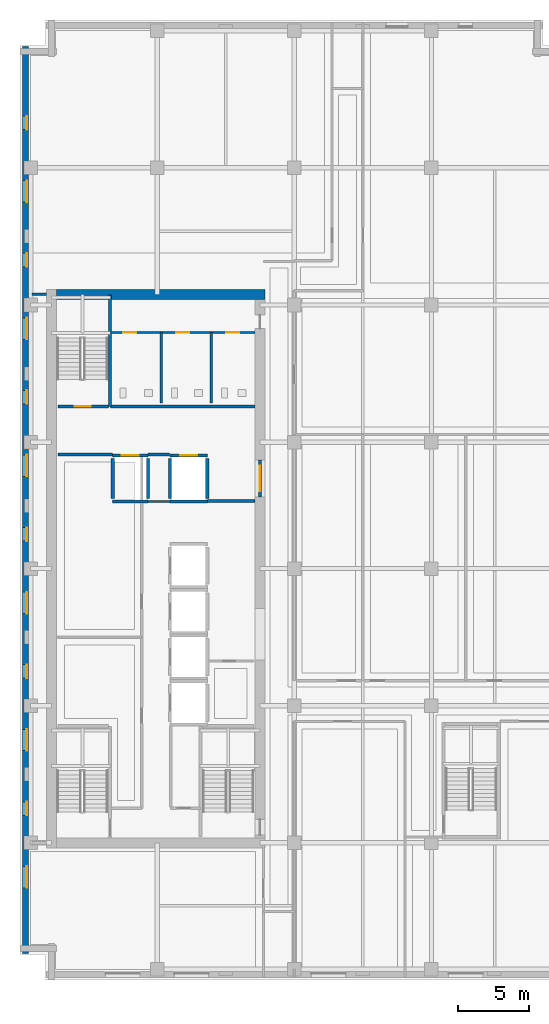
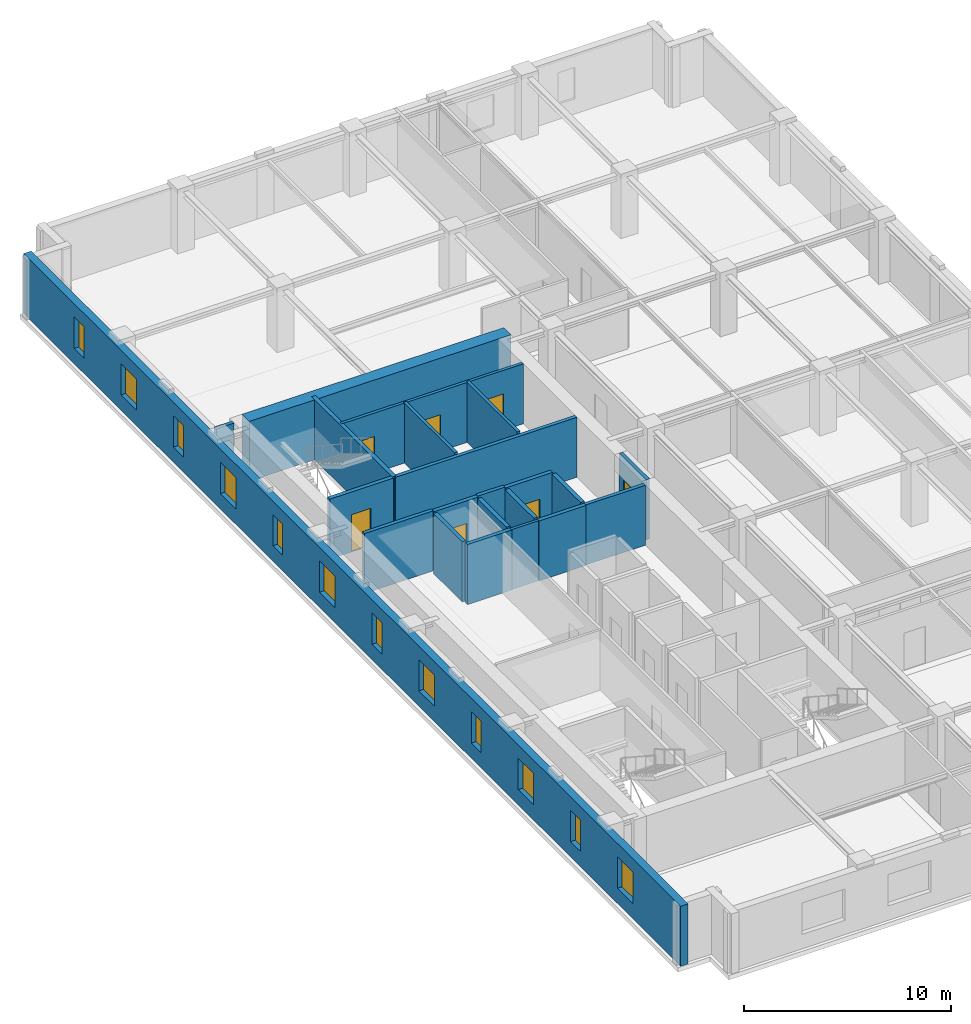
# One storey, part 6 of 13: 22 walls, 12 windows, 7 doors, 19 openings.
"""IFC4 building model written with IfcOpenShell, lengths in metres."""

import ifcopenshell
import ifcopenshell.guid

model = None  # the IFC model being written
_history = None  # IfcOwnerHistory: only IFC2X3 demands one
_inside = {}  # id of a spatial element -> (the spatial element, [elements in it])
_under = {}  # id of a project, library or spatial element -> (it, [spatial elements below it])
_declared = {}  # id of a project -> (the project, [libraries it declares])
_typed = {}  # id of a type object -> (the type object, [elements of that type])
_made_of = {}  # id of a material, layer set ... -> (it, [elements and type objects made of it])


def new_model(schema):
    """Start an empty IFC model of exactly this schema.

    Asked for "IFC4X3", IfcOpenShell would pick the latest addendum, in which some entities
    have other attributes; the version numbers below select the first issue.
    IFC2X3 requires an IfcOwnerHistory on every rooted entity: one is made here for all.
    """
    global model, _history
    if schema == "IFC4X3":
        model = ifcopenshell.file(schema_version=(4, 3, 0, 0))
    else:
        model = ifcopenshell.file(schema=schema)
    _inside.clear()
    _under.clear()
    _declared.clear()
    _typed.clear()
    _made_of.clear()
    _history = None
    if model.schema == "IFC2X3":
        org = make("IfcOrganization", Name="unknown")
        user = make(
            "IfcPersonAndOrganization",
            ThePerson=make("IfcPerson", FamilyName="unknown"),
            TheOrganization=org,
        )
        app = make(
            "IfcApplication",
            ApplicationDeveloper=org,
            Version="unknown",
            ApplicationFullName="unknown",
            ApplicationIdentifier="unknown",
        )
        _history = make(
            "IfcOwnerHistory",
            OwningUser=user,
            OwningApplication=app,
            ChangeAction="ADDED",
            CreationDate=0,
        )
    return model


def make(cls, **values):
    """One entity of the class cls with the attributes given. An attribute that is None is left unset."""
    return model.create_entity(
        cls, **{name: value for name, value in values.items() if value is not None}
    )


def rooted(cls, **values):
    """An entity with a GlobalId (a new one), such as an element, a storey or a relation."""
    return make(cls, GlobalId=ifcopenshell.guid.new(), OwnerHistory=_history, **values)


def si_unit(unit_type, name, prefix=None):
    """IfcSIUnit, for example si_unit("LENGTHUNIT", "METRE", prefix="MILLI")."""
    return make("IfcSIUnit", UnitType=unit_type, Prefix=prefix, Name=name)


def assignment(units):
    """IfcUnitAssignment: the units of a project."""
    return None if units is None else make("IfcUnitAssignment", Units=units)


def point(xyz):
    """IfcCartesianPoint."""
    return None if xyz is None else make("IfcCartesianPoint", Coordinates=xyz)


def direction(xyz):
    """IfcDirection."""
    return None if xyz is None else make("IfcDirection", DirectionRatios=xyz)


def frame(location, z_axis=None, x_axis=None):
    """IfcAxis2Placement3D, a coordinate frame: its origin and axes. An axis left out is left unset."""
    return make(
        "IfcAxis2Placement3D",
        Location=point(location),
        Axis=direction(z_axis),
        RefDirection=direction(x_axis),
    )


def frame_2d(location, x_axis=None):
    """IfcAxis2Placement2D, a coordinate frame in the plane: its origin and x axis."""
    return make(
        "IfcAxis2Placement2D", Location=point(location), RefDirection=direction(x_axis)
    )


def origin():
    """The frame at (0, 0, 0) with its axes left unset."""
    return frame((0.0, 0.0, 0.0))


def place(relative_to, where):
    """IfcLocalPlacement: puts the frame where relative to a parent placement (None: the world)."""
    return make(
        "IfcLocalPlacement", PlacementRelTo=relative_to, RelativePlacement=where
    )


def context(
    kind, dimensions, precision=None, world=None, true_north=None, identifier=None
):
    """IfcGeometricRepresentationContext, for example the 3D "Model" context."""
    return make(
        "IfcGeometricRepresentationContext",
        ContextIdentifier=identifier,
        ContextType=kind,
        CoordinateSpaceDimension=dimensions,
        Precision=precision,
        WorldCoordinateSystem=world,
        TrueNorth=true_north,
    )


def subcontext(parent, identifier, kind, view, scale=None):
    """IfcGeometricRepresentationSubContext, for example "Body" below "Model"."""
    return make(
        "IfcGeometricRepresentationSubContext",
        ContextIdentifier=identifier,
        ContextType=kind,
        ParentContext=parent,
        TargetScale=scale,
        TargetView=view,
    )


def project(units=None, contexts=None):
    """IfcProject with its units and contexts."""
    return rooted(
        "IfcProject",
        Name="project",
        RepresentationContexts=contexts,
        UnitsInContext=assignment(units),
    )


def spatial(cls, under=None, at=None, **own):
    """A site, building, storey or space (cls), placed at a placement, below another one or the project."""
    s = rooted(cls, ObjectPlacement=at, **own)
    if under is not None:
        _under.setdefault(under.id(), (under, []))[1].append(s)
    return s


def profile(cls, at=None, kind="AREA", **sizes):
    """A parametric profile (cls). Its sizes go by their IFC names, for example OverallWidth=200.0."""
    return make(cls, ProfileType=kind, Position=at, **sizes)


def rectangle(**sizes):
    """IfcRectangleProfileDef."""
    return profile("IfcRectangleProfileDef", **sizes)


def extrude(swept, where, along, depth):
    """IfcExtrudedAreaSolid: the profile swept, set in the frame where, extruded along a direction by depth."""
    return make(
        "IfcExtrudedAreaSolid",
        SweptArea=swept,
        Position=where,
        ExtrudedDirection=direction(along),
        Depth=depth,
    )


def shape(context_of_items, identifier, shape_type, items):
    """IfcShapeRepresentation: the items that make up one representation, for example the "Body"."""
    return make(
        "IfcShapeRepresentation",
        ContextOfItems=context_of_items,
        RepresentationIdentifier=identifier,
        RepresentationType=shape_type,
        Items=items,
    )


def material(Name=None, Category=None):
    """IfcMaterial."""
    return make("IfcMaterial", Name=Name, Category=Category)


def layer(
    of_material, thickness, ventilated=None, Name=None, Category=None, Priority=None
):
    """IfcMaterialLayer: one layer of a wall or slab, of a material (None: an air gap)."""
    return make(
        "IfcMaterialLayer",
        Material=of_material,
        LayerThickness=thickness,
        IsVentilated=ventilated,
        Name=Name,
        Category=Category,
        Priority=Priority,
    )


def layer_set(layers, Name=None):
    """IfcMaterialLayerSet."""
    return make("IfcMaterialLayerSet", MaterialLayers=layers, LayerSetName=Name)


def made_of(thing, what):
    """Note that an element or type object is made of a material, layer set ...; save() writes the relation."""
    if what is not None:
        _made_of.setdefault(what.id(), (what, []))[1].append(thing)
    return thing


def type_object(cls, material=None, **own):
    """A type object (cls), such as IfcWallType, which elements share."""
    return made_of(rooted(cls, **own), material)


def element(
    cls,
    number,
    at=None,
    inside=None,
    cuts=None,
    type_object=None,
    material=None,
    context=None,
    identifier="Body",
    shape_type=None,
    held_by="IfcProductDefinitionShape",
    body=None,
    shapes=None,
    **own,
):
    """One element of the class cls, such as IfcWall. Its Tag is "e" and its number.

    at: its placement. inside: the storey or other place that contains it. cuts: it is an
    opening in that element (IfcRelVoidsElement). A single representation is given by context,
    identifier, shape_type and body (its items); several are given by shapes. held_by: the class
    of the entity that holds the representations. save() writes the other relations.
    """
    e = rooted(cls, Tag="e%d" % number, ObjectPlacement=at, **own)
    if body is not None:
        shapes = [shape(context, identifier, shape_type, body)]
    if shapes is not None:
        e.Representation = make(held_by, Representations=shapes)
    if inside is not None:
        _inside.setdefault(inside.id(), (inside, []))[1].append(e)
    if cuts is not None:
        rooted(
            "IfcRelVoidsElement", RelatingBuildingElement=cuts, RelatedOpeningElement=e
        )
    if type_object is not None:
        _typed.setdefault(type_object.id(), (type_object, []))[1].append(e)
    return made_of(e, material)


def fill(opening, filler):
    """IfcRelFillsElement: the door or window that sits in an opening."""
    return rooted(
        "IfcRelFillsElement",
        RelatingOpeningElement=opening,
        RelatedBuildingElement=filler,
    )


def aggregate(whole, parts):
    """IfcRelAggregates: a whole, such as a stair, and the parts it consists of."""
    return rooted("IfcRelAggregates", RelatingObject=whole, RelatedObjects=parts)


def save(model, path):
    """Write the relations noted so far, then the file.

    IfcRelAggregates (storeys below a building ...), IfcRelContainedInSpatialStructure (elements
    in a storey), IfcRelDefinesByType, IfcRelAssociatesMaterial and IfcRelDeclares: one each for
    every whole, place, type object, material and project.
    """
    for whole, parts in _under.values():
        aggregate(whole, parts)
    for where, things in _inside.values():
        rooted(
            "IfcRelContainedInSpatialStructure",
            RelatedElements=things,
            RelatingStructure=where,
        )
    for kind, things in _typed.values():
        rooted("IfcRelDefinesByType", RelatedObjects=things, RelatingType=kind)
    for what, things in _made_of.values():
        rooted("IfcRelAssociatesMaterial", RelatedObjects=things, RelatingMaterial=what)
    for by, libraries in _declared.values():
        rooted("IfcRelDeclares", RelatingContext=by, RelatedDefinitions=libraries)
    model.write(path)


model = new_model("IFC4")

# Units and contexts
model_context = context("Model", 3, precision=1e-05, world=origin(), true_north=direction((0.0, 1.0)))
body_context = subcontext(model_context, "Body", "Model", "MODEL_VIEW")
ifc_project = project(units=[si_unit("LENGTHUNIT", "METRE"), si_unit("AREAUNIT", "SQUARE_METRE"), si_unit("VOLUMEUNIT", "CUBIC_METRE"), si_unit("PLANEANGLEUNIT", "RADIAN"), si_unit("MASSUNIT", "GRAM", prefix="KILO")], contexts=[model_context])

# Site, building, storey
site_placement = place(None, origin())
site = spatial("IfcSite", under=ifc_project, at=site_placement, CompositionType="ELEMENT")
building_placement = place(site_placement, origin())
building = spatial("IfcBuilding", under=site, at=building_placement, Name="Norrvale University Quadrangle", CompositionType="ELEMENT")
storey_placement = place(building_placement, frame((0.0, 0.0, 178.800048828125)))
storey = spatial("IfcBuildingStorey", under=building, at=storey_placement, Name="L45", CompositionType="ELEMENT", Elevation=178.800048828125)

# Wall, openings, windows
ifc_material_1 = material(Name="Buff Norman Clay Brick Masonry", Category="masonry")
ifc_layer_1 = layer(ifc_material_1, 0.419921875, Name="Buff Norman Clay Brick Masonry")
ifc_layer_set_1 = layer_set([ifc_layer_1], Name="Buff Norman Clay Brick Masonry")
wall_type_1 = type_object("IfcWallType", Name="Wall Buff Brick 420", PredefinedType="SOLIDWALL", material=ifc_layer_set_1)
wall_1_placement = place(storey_placement, frame((0.389892578125, 65.360107421875, 0.0), z_axis=(0.0, 0.0, 1.0), x_axis=(0.0, -1.0, 0.0)))
wall_1 = element("IfcWall", 1, at=wall_1_placement, inside=storey, type_object=wall_type_1, Name="Exterior Brick Facade Wall L45-14.1", PredefinedType="SOLIDWALL", context=body_context, shape_type="SweptSolid", body=[
    extrude(rectangle(XDim=63.52001953125, YDim=0.419921875, at=frame_2d((31.760009765625, 0.0))), origin(), (0.0, 0.0, 1.0), 3.5400390625),
])
opening_1_placement = place(wall_1_placement, frame((4.885009765625, 0.0, 0.89990234375)))
opening_1 = element("IfcOpeningElement", 2, at=opening_1_placement, cuts=wall_1, Name="Opening W04", PredefinedType="OPENING", context=body_context, shape_type="SweptSolid", body=[
    extrude(rectangle(XDim=0.949951171875, YDim=1.85009765625, at=frame_2d((0.47509765625, 0.925048828125))), frame((0.0, 0.221923828125, 0.0), z_axis=(0.0, -1.0, 0.0), x_axis=(1.0, 0.0, 0.0)), (0.0, 0.0, 1.0), 0.44384765625),
])
opening_2_placement = place(wall_1_placement, frame((9.409912109375, 0.0, 0.89990234375)))
opening_2 = element("IfcOpeningElement", 3, at=opening_2_placement, cuts=wall_1, Name="Opening W03", PredefinedType="OPENING", context=body_context, shape_type="SweptSolid", body=[
    extrude(rectangle(XDim=1.5, YDim=1.85009765625, at=frame_2d((0.75, 0.925048828125))), frame((0.0, 0.221923828125, 0.0), z_axis=(0.0, -1.0, 0.0), x_axis=(1.0, 0.0, 0.0)), (0.0, 0.0, 1.0), 0.44384765625),
])
opening_3_placement = place(wall_1_placement, frame((14.485107421875, 0.0, 0.89990234375)))
opening_3 = element("IfcOpeningElement", 4, at=opening_3_placement, cuts=wall_1, Name="Opening W04", PredefinedType="OPENING", context=body_context, shape_type="SweptSolid", body=[
    extrude(rectangle(XDim=0.949951171875, YDim=1.85009765625, at=frame_2d((0.47509765625, 0.925048828125))), frame((0.0, 0.221923828125, 0.0), z_axis=(0.0, -1.0, 0.0), x_axis=(1.0, 0.0, 0.0)), (0.0, 0.0, 1.0), 0.44384765625),
])
opening_4_placement = place(wall_1_placement, frame((19.010009765625, 0.0, 0.89990234375)))
opening_4 = element("IfcOpeningElement", 5, at=opening_4_placement, cuts=wall_1, Name="Opening W03", PredefinedType="OPENING", context=body_context, shape_type="SweptSolid", body=[
    extrude(rectangle(XDim=1.5, YDim=1.85009765625, at=frame_2d((0.75, 0.925048828125))), frame((0.0, 0.221923828125, 0.0), z_axis=(0.0, -1.0, 0.0), x_axis=(1.0, 0.0, 0.0)), (0.0, 0.0, 1.0), 0.44384765625),
])
opening_5_placement = place(wall_1_placement, frame((24.0849609375, 0.0, 0.89990234375)))
opening_5 = element("IfcOpeningElement", 6, at=opening_5_placement, cuts=wall_1, Name="Opening W04", PredefinedType="OPENING", context=body_context, shape_type="SweptSolid", body=[
    extrude(rectangle(XDim=0.949951171875, YDim=1.85009765625, at=frame_2d((0.47509765625, 0.925048828125))), frame((0.0, 0.221923828125, 0.0), z_axis=(0.0, -1.0, 0.0), x_axis=(1.0, 0.0, 0.0)), (0.0, 0.0, 1.0), 0.44384765625),
])
opening_6_placement = place(wall_1_placement, frame((28.610107421875, 0.0, 0.89990234375)))
opening_6 = element("IfcOpeningElement", 7, at=opening_6_placement, cuts=wall_1, Name="Opening W03", PredefinedType="OPENING", context=body_context, shape_type="SweptSolid", body=[
    extrude(rectangle(XDim=1.5, YDim=1.85009765625, at=frame_2d((0.75, 0.925048828125))), frame((0.0, 0.221923828125, 0.0), z_axis=(0.0, -1.0, 0.0), x_axis=(1.0, 0.0, 0.0)), (0.0, 0.0, 1.0), 0.44384765625),
])
opening_7_placement = place(wall_1_placement, frame((33.68505859375, 0.0, 0.89990234375)))
opening_7 = element("IfcOpeningElement", 8, at=opening_7_placement, cuts=wall_1, Name="Opening W04", PredefinedType="OPENING", context=body_context, shape_type="SweptSolid", body=[
    extrude(rectangle(XDim=0.949951171875, YDim=1.85009765625, at=frame_2d((0.47509765625, 0.925048828125))), frame((0.0, 0.221923828125, 0.0), z_axis=(0.0, -1.0, 0.0), x_axis=(1.0, 0.0, 0.0)), (0.0, 0.0, 1.0), 0.44384765625),
])
opening_8_placement = place(wall_1_placement, frame((38.2099609375, 0.0, 0.89990234375)))
opening_8 = element("IfcOpeningElement", 9, at=opening_8_placement, cuts=wall_1, Name="Opening W03", PredefinedType="OPENING", context=body_context, shape_type="SweptSolid", body=[
    extrude(rectangle(XDim=1.5, YDim=1.85009765625, at=frame_2d((0.75, 0.925048828125))), frame((0.0, 0.221923828125, 0.0), z_axis=(0.0, -1.0, 0.0), x_axis=(1.0, 0.0, 0.0)), (0.0, 0.0, 1.0), 0.44384765625),
])
opening_9_placement = place(wall_1_placement, frame((43.284912109375, 0.0, 0.89990234375)))
opening_9 = element("IfcOpeningElement", 10, at=opening_9_placement, cuts=wall_1, Name="Opening W04", PredefinedType="OPENING", context=body_context, shape_type="SweptSolid", body=[
    extrude(rectangle(XDim=0.949951171875, YDim=1.85009765625, at=frame_2d((0.47509765625, 0.925048828125))), frame((0.0, 0.221923828125, 0.0), z_axis=(0.0, -1.0, 0.0), x_axis=(1.0, 0.0, 0.0)), (0.0, 0.0, 1.0), 0.44384765625),
])
opening_10_placement = place(wall_1_placement, frame((47.81005859375, 0.0, 0.89990234375)))
opening_10 = element("IfcOpeningElement", 11, at=opening_10_placement, cuts=wall_1, Name="Opening W03", PredefinedType="OPENING", context=body_context, shape_type="SweptSolid", body=[
    extrude(rectangle(XDim=1.5, YDim=1.85009765625, at=frame_2d((0.75, 0.925048828125))), frame((0.0, 0.221923828125, 0.0), z_axis=(0.0, -1.0, 0.0), x_axis=(1.0, 0.0, 0.0)), (0.0, 0.0, 1.0), 0.44384765625),
])
opening_11_placement = place(wall_1_placement, frame((52.885009765625, 0.0, 0.89990234375)))
opening_11 = element("IfcOpeningElement", 12, at=opening_11_placement, cuts=wall_1, Name="Opening W04", PredefinedType="OPENING", context=body_context, shape_type="SweptSolid", body=[
    extrude(rectangle(XDim=0.949951171875, YDim=1.85009765625, at=frame_2d((0.47509765625, 0.925048828125))), frame((0.0, 0.221923828125, 0.0), z_axis=(0.0, -1.0, 0.0), x_axis=(1.0, 0.0, 0.0)), (0.0, 0.0, 1.0), 0.44384765625),
])
opening_12_placement = place(wall_1_placement, frame((57.409912109375, 0.0, 0.89990234375)))
opening_12 = element("IfcOpeningElement", 13, at=opening_12_placement, cuts=wall_1, Name="Opening W03", PredefinedType="OPENING", context=body_context, shape_type="SweptSolid", body=[
    extrude(rectangle(XDim=1.5, YDim=1.85009765625, at=frame_2d((0.75, 0.925048828125))), frame((0.0, 0.221923828125, 0.0), z_axis=(0.0, -1.0, 0.0), x_axis=(1.0, 0.0, 0.0)), (0.0, 0.0, 1.0), 0.44384765625),
])
ifc_material_2 = material(Name="Triple Low-E Argon Glazing", Category="glass")
window_type_1 = type_object("IfcWindowType", Name="Window Narrow Pier 950x2300", PartitioningType="SINGLE_PANEL", PredefinedType="WINDOW", material=ifc_material_2)
window_1_placement = place(opening_1_placement, origin())
window_1 = element("IfcWindow", 14, at=window_1_placement, inside=storey, type_object=window_type_1, Name="Window Narrow Pier 950x2300 WIN-L45-E14-1-01", OverallHeight=1.85009765625, OverallWidth=0.949951171875, PartitioningType="SINGLE_PANEL", PredefinedType="WINDOW", context=body_context, shape_type="SweptSolid", body=[
    extrude(rectangle(XDim=0.949951171875, YDim=1.85009765625, at=frame_2d((0.47509765625, 0.925048828125))), frame((0.0, 0.110107421875, 0.0), z_axis=(0.0, -1.0, 0.0), x_axis=(1.0, 0.0, 0.0)), (0.0, 0.0, 1.0), 0.06005859375),
])
fill(opening_1, window_1)
window_2_placement = place(opening_3_placement, origin())
window_2 = element("IfcWindow", 15, at=window_2_placement, inside=storey, type_object=window_type_1, Name="Window Narrow Pier 950x2300 WIN-L45-E14-1-03", OverallHeight=1.85009765625, OverallWidth=0.949951171875, PartitioningType="SINGLE_PANEL", PredefinedType="WINDOW", context=body_context, shape_type="SweptSolid", body=[
    extrude(rectangle(XDim=0.949951171875, YDim=1.85009765625, at=frame_2d((0.47509765625, 0.925048828125))), frame((0.0, 0.110107421875, 0.0), z_axis=(0.0, -1.0, 0.0), x_axis=(1.0, 0.0, 0.0)), (0.0, 0.0, 1.0), 0.06005859375),
])
fill(opening_3, window_2)
window_3_placement = place(opening_5_placement, origin())
window_3 = element("IfcWindow", 16, at=window_3_placement, inside=storey, type_object=window_type_1, Name="Window Narrow Pier 950x2300 WIN-L45-E14-1-05", OverallHeight=1.85009765625, OverallWidth=0.949951171875, PartitioningType="SINGLE_PANEL", PredefinedType="WINDOW", context=body_context, shape_type="SweptSolid", body=[
    extrude(rectangle(XDim=0.949951171875, YDim=1.85009765625, at=frame_2d((0.47509765625, 0.925048828125))), frame((0.0, 0.110107421875, 0.0), z_axis=(0.0, -1.0, 0.0), x_axis=(1.0, 0.0, 0.0)), (0.0, 0.0, 1.0), 0.06005859375),
])
fill(opening_5, window_3)
window_4_placement = place(opening_7_placement, origin())
window_4 = element("IfcWindow", 17, at=window_4_placement, inside=storey, type_object=window_type_1, Name="Window Narrow Pier 950x2300 WIN-L45-E14-1-07", OverallHeight=1.85009765625, OverallWidth=0.949951171875, PartitioningType="SINGLE_PANEL", PredefinedType="WINDOW", context=body_context, shape_type="SweptSolid", body=[
    extrude(rectangle(XDim=0.949951171875, YDim=1.85009765625, at=frame_2d((0.47509765625, 0.925048828125))), frame((0.0, 0.110107421875, 0.0), z_axis=(0.0, -1.0, 0.0), x_axis=(1.0, 0.0, 0.0)), (0.0, 0.0, 1.0), 0.06005859375),
])
fill(opening_7, window_4)
window_5_placement = place(opening_9_placement, origin())
window_5 = element("IfcWindow", 18, at=window_5_placement, inside=storey, type_object=window_type_1, Name="Window Narrow Pier 950x2300 WIN-L45-E14-1-09", OverallHeight=1.85009765625, OverallWidth=0.949951171875, PartitioningType="SINGLE_PANEL", PredefinedType="WINDOW", context=body_context, shape_type="SweptSolid", body=[
    extrude(rectangle(XDim=0.949951171875, YDim=1.85009765625, at=frame_2d((0.47509765625, 0.925048828125))), frame((0.0, 0.110107421875, 0.0), z_axis=(0.0, -1.0, 0.0), x_axis=(1.0, 0.0, 0.0)), (0.0, 0.0, 1.0), 0.06005859375),
])
fill(opening_9, window_5)
window_6_placement = place(opening_11_placement, origin())
window_6 = element("IfcWindow", 19, at=window_6_placement, inside=storey, type_object=window_type_1, Name="Window Narrow Pier 950x2300 WIN-L45-E14-1-11", OverallHeight=1.85009765625, OverallWidth=0.949951171875, PartitioningType="SINGLE_PANEL", PredefinedType="WINDOW", context=body_context, shape_type="SweptSolid", body=[
    extrude(rectangle(XDim=0.949951171875, YDim=1.85009765625, at=frame_2d((0.47509765625, 0.925048828125))), frame((0.0, 0.110107421875, 0.0), z_axis=(0.0, -1.0, 0.0), x_axis=(1.0, 0.0, 0.0)), (0.0, 0.0, 1.0), 0.06005859375),
])
fill(opening_11, window_6)
window_type_2 = type_object("IfcWindowType", Name="Window Studio 1500x2300", PartitioningType="DOUBLE_PANEL_VERTICAL", PredefinedType="WINDOW", material=ifc_material_2)
window_7_placement = place(opening_2_placement, origin())
window_7 = element("IfcWindow", 20, at=window_7_placement, inside=storey, type_object=window_type_2, Name="Window Studio 1500x2300 WIN-L45-E14-1-02", OverallHeight=1.85009765625, OverallWidth=1.5, PartitioningType="DOUBLE_PANEL_VERTICAL", PredefinedType="WINDOW", context=body_context, shape_type="SweptSolid", body=[
    extrude(rectangle(XDim=1.5, YDim=1.85009765625, at=frame_2d((0.75, 0.925048828125))), frame((0.0, 0.110107421875, 0.0), z_axis=(0.0, -1.0, 0.0), x_axis=(1.0, 0.0, 0.0)), (0.0, 0.0, 1.0), 0.06005859375),
])
fill(opening_2, window_7)
window_8_placement = place(opening_4_placement, origin())
window_8 = element("IfcWindow", 21, at=window_8_placement, inside=storey, type_object=window_type_2, Name="Window Studio 1500x2300 WIN-L45-E14-1-04", OverallHeight=1.85009765625, OverallWidth=1.5, PartitioningType="DOUBLE_PANEL_VERTICAL", PredefinedType="WINDOW", context=body_context, shape_type="SweptSolid", body=[
    extrude(rectangle(XDim=1.5, YDim=1.85009765625, at=frame_2d((0.75, 0.925048828125))), frame((0.0, 0.110107421875, 0.0), z_axis=(0.0, -1.0, 0.0), x_axis=(1.0, 0.0, 0.0)), (0.0, 0.0, 1.0), 0.06005859375),
])
fill(opening_4, window_8)
window_9_placement = place(opening_6_placement, origin())
window_9 = element("IfcWindow", 22, at=window_9_placement, inside=storey, type_object=window_type_2, Name="Window Studio 1500x2300 WIN-L45-E14-1-06", OverallHeight=1.85009765625, OverallWidth=1.5, PartitioningType="DOUBLE_PANEL_VERTICAL", PredefinedType="WINDOW", context=body_context, shape_type="SweptSolid", body=[
    extrude(rectangle(XDim=1.5, YDim=1.85009765625, at=frame_2d((0.75, 0.925048828125))), frame((0.0, 0.110107421875, 0.0), z_axis=(0.0, -1.0, 0.0), x_axis=(1.0, 0.0, 0.0)), (0.0, 0.0, 1.0), 0.06005859375),
])
fill(opening_6, window_9)
window_10_placement = place(opening_8_placement, origin())
window_10 = element("IfcWindow", 23, at=window_10_placement, inside=storey, type_object=window_type_2, Name="Window Studio 1500x2300 WIN-L45-E14-1-08", OverallHeight=1.85009765625, OverallWidth=1.5, PartitioningType="DOUBLE_PANEL_VERTICAL", PredefinedType="WINDOW", context=body_context, shape_type="SweptSolid", body=[
    extrude(rectangle(XDim=1.5, YDim=1.85009765625, at=frame_2d((0.75, 0.925048828125))), frame((0.0, 0.110107421875, 0.0), z_axis=(0.0, -1.0, 0.0), x_axis=(1.0, 0.0, 0.0)), (0.0, 0.0, 1.0), 0.06005859375),
])
fill(opening_8, window_10)
window_11_placement = place(opening_10_placement, origin())
window_11 = element("IfcWindow", 24, at=window_11_placement, inside=storey, type_object=window_type_2, Name="Window Studio 1500x2300 WIN-L45-E14-1-10", OverallHeight=1.85009765625, OverallWidth=1.5, PartitioningType="DOUBLE_PANEL_VERTICAL", PredefinedType="WINDOW", context=body_context, shape_type="SweptSolid", body=[
    extrude(rectangle(XDim=1.5, YDim=1.85009765625, at=frame_2d((0.75, 0.925048828125))), frame((0.0, 0.110107421875, 0.0), z_axis=(0.0, -1.0, 0.0), x_axis=(1.0, 0.0, 0.0)), (0.0, 0.0, 1.0), 0.06005859375),
])
fill(opening_10, window_11)
window_12_placement = place(opening_12_placement, origin())
window_12 = element("IfcWindow", 25, at=window_12_placement, inside=storey, type_object=window_type_2, Name="Window Studio 1500x2300 WIN-L45-E14-1-12", OverallHeight=1.85009765625, OverallWidth=1.5, PartitioningType="DOUBLE_PANEL_VERTICAL", PredefinedType="WINDOW", context=body_context, shape_type="SweptSolid", body=[
    extrude(rectangle(XDim=1.5, YDim=1.85009765625, at=frame_2d((0.75, 0.925048828125))), frame((0.0, 0.110107421875, 0.0), z_axis=(0.0, -1.0, 0.0), x_axis=(1.0, 0.0, 0.0)), (0.0, 0.0, 1.0), 0.06005859375),
])
fill(opening_12, window_12)

# Walls
ifc_material_3 = material(Name="Concrete C60/75", Category="concrete")
ifc_layer_2 = layer(ifc_material_3, 0.699951171875, Name="Concrete C60/75")
ifc_layer_set_2 = layer_set([ifc_layer_2], Name="Concrete C60/75")
wall_type_2 = type_object("IfcWallType", Name="Wall Core 700", PredefinedType="SHEAR", material=ifc_layer_set_2)
wall_2_placement = place(storey_placement, frame((2.550048828125, 48.0, 0.0), z_axis=(0.0, 0.0, 1.0), x_axis=(1.0, 0.0, 0.0)))
element("IfcWall", 26, at=wall_2_placement, inside=storey, type_object=wall_type_2, Name="Tower Core Shear Wall L45-N", PredefinedType="SHEAR", context=body_context, shape_type="SweptSolid", body=[
    extrude(rectangle(XDim=14.599853515625, YDim=0.699951171875, at=frame_2d((7.2998046875, 0.0))), origin(), (0.0, 0.0, 1.0), 3.5400390625),
])
ifc_material_4 = material(Name="Fire-Rated Gypsum Stud Partition")
ifc_layer_3 = layer(ifc_material_4, 0.14990234375, Name="Fire-Rated Gypsum Stud Partition")
ifc_layer_set_3 = layer_set([ifc_layer_3], Name="Fire-Rated Gypsum Stud Partition")
wall_type_3 = type_object("IfcWallType", Name="Wall Gypsum Corridor 150", PredefinedType="PARTITIONING", material=ifc_layer_set_3)
wall_3_placement = place(storey_placement, frame((8.965087890625, 33.489990234375, 0.0), z_axis=(0.0, 0.0, 1.0), x_axis=(1.0, 0.0, 0.0)))
element("IfcWall", 27, at=wall_3_placement, inside=storey, type_object=wall_type_3, Name="Interior Partition WL-L45-LL3", PredefinedType="PARTITIONING", context=body_context, shape_type="SweptSolid", body=[
    extrude(rectangle(XDim=1.52001953125, YDim=0.14990234375, at=frame_2d((0.760009765625, 0.0))), origin(), (0.0, 0.0, 1.0), 3.5400390625),
])

# Wall, openings, doors
ifc_material_5 = material(Name="Sanitary Chase Gypsum Partition")
ifc_layer_4 = layer(ifc_material_5, 0.1650390625, Name="Sanitary Chase Gypsum Partition")
ifc_layer_set_4 = layer_set([ifc_layer_4], Name="Sanitary Chase Gypsum Partition")
wall_type_4 = type_object("IfcWallType", Name="Wall Gypsum Sanitary 165", PredefinedType="PLUMBINGWALL", material=ifc_layer_set_4)
wall_4_placement = place(storey_placement, frame((6.320068359375, 45.320068359375, 0.0), z_axis=(0.0, 0.0, 1.0), x_axis=(1.0, 0.0, 0.0)))
wall_4 = element("IfcWall", 28, at=wall_4_placement, inside=storey, type_object=wall_type_4, Name="Interior Partition WL-L45-WCN", PredefinedType="PLUMBINGWALL", context=body_context, shape_type="SweptSolid", body=[
    extrude(rectangle(XDim=10.1298828125, YDim=0.1650390625, at=frame_2d((5.06494140625, 0.0))), origin(), (0.0, 0.0, 1.0), 3.5400390625),
])
opening_13_placement = place(wall_4_placement, frame((0.89990234375, 0.0, 0.0)))
opening_13 = element("IfcOpeningElement", 29, at=opening_13_placement, cuts=wall_4, Name="Opening D08", PredefinedType="OPENING", context=body_context, shape_type="SweptSolid", body=[
    extrude(rectangle(XDim=0.919921875, YDim=2.14990234375, at=frame_2d((0.4599609375, 1.074951171875))), frame((0.0, 0.094482421875, 0.0), z_axis=(0.0, -1.0, 0.0), x_axis=(1.0, 0.0, 0.0)), (0.0, 0.0, 1.0), 0.18896484375),
])
opening_14_placement = place(wall_4_placement, frame((4.60009765625, 0.0, 0.0)))
opening_14 = element("IfcOpeningElement", 30, at=opening_14_placement, cuts=wall_4, Name="Opening D08", PredefinedType="OPENING", context=body_context, shape_type="SweptSolid", body=[
    extrude(rectangle(XDim=0.919921875, YDim=2.14990234375, at=frame_2d((0.4599609375, 1.074951171875))), frame((0.0, 0.094482421875, 0.0), z_axis=(0.0, -1.0, 0.0), x_axis=(1.0, 0.0, 0.0)), (0.0, 0.0, 1.0), 0.18896484375),
])
opening_15_placement = place(wall_4_placement, frame((8.10009765625, 0.0, 0.0)))
opening_15 = element("IfcOpeningElement", 31, at=opening_15_placement, cuts=wall_4, Name="Opening D08", PredefinedType="OPENING", context=body_context, shape_type="SweptSolid", body=[
    extrude(rectangle(XDim=0.919921875, YDim=2.14990234375, at=frame_2d((0.4599609375, 1.074951171875))), frame((0.0, 0.094482421875, 0.0), z_axis=(0.0, -1.0, 0.0), x_axis=(1.0, 0.0, 0.0)), (0.0, 0.0, 1.0), 0.18896484375),
])
ifc_material_6 = material(Name="Laminate Washroom Door", Category="wood")
door_type_1 = type_object("IfcDoorType", Name="Door Washroom 920x2150", OperationType="NOTDEFINED", PredefinedType="DOOR", material=ifc_material_6)
door_1_placement = place(opening_13_placement, origin())
door_1 = element("IfcDoor", 32, at=door_1_placement, inside=storey, type_object=door_type_1, Name="Door Washroom 920x2150 DR-L45-WC1", OperationType="SINGLE_SWING_LEFT", OverallHeight=2.14990234375, OverallWidth=0.919921875, PredefinedType="DOOR", context=body_context, shape_type="SweptSolid", body=[
    extrude(rectangle(XDim=0.919921875, YDim=2.14990234375, at=frame_2d((0.4599609375, 1.074951171875))), frame((0.0, 0.02490234375, 0.0), z_axis=(0.0, -1.0, 0.0), x_axis=(1.0, 0.0, 0.0)), (0.0, 0.0, 1.0), 0.050048828125),
])
fill(opening_13, door_1)
door_2_placement = place(opening_14_placement, origin())
door_2 = element("IfcDoor", 33, at=door_2_placement, inside=storey, type_object=door_type_1, Name="Door Washroom 920x2150 DR-L45-WC2", OperationType="SINGLE_SWING_RIGHT", OverallHeight=2.14990234375, OverallWidth=0.919921875, PredefinedType="DOOR", context=body_context, shape_type="SweptSolid", body=[
    extrude(rectangle(XDim=0.919921875, YDim=2.14990234375, at=frame_2d((0.4599609375, 1.074951171875))), frame((0.0, 0.02490234375, 0.0), z_axis=(0.0, -1.0, 0.0), x_axis=(1.0, 0.0, 0.0)), (0.0, 0.0, 1.0), 0.050048828125),
])
fill(opening_14, door_2)
door_3_placement = place(opening_15_placement, origin())
door_3 = element("IfcDoor", 34, at=door_3_placement, inside=storey, type_object=door_type_1, Name="Door Washroom 920x2150 DR-L45-WC3", OperationType="SINGLE_SWING_LEFT", OverallHeight=2.14990234375, OverallWidth=0.919921875, PredefinedType="DOOR", context=body_context, shape_type="SweptSolid", body=[
    extrude(rectangle(XDim=0.919921875, YDim=2.14990234375, at=frame_2d((0.4599609375, 1.074951171875))), frame((0.0, 0.02490234375, 0.0), z_axis=(0.0, -1.0, 0.0), x_axis=(1.0, 0.0, 0.0)), (0.0, 0.0, 1.0), 0.050048828125),
])
fill(opening_15, door_3)

# Walls
for number, where, z_axis, x_axis, name in (
    (35, (9.89990234375, 40.39990234375, 0.0), (0.0, 0.0, 1.0), (0.0, 1.0, 0.0), "Interior Partition WL-L45-WCM1"),
    (36, (13.39990234375, 40.39990234375, 0.0), (0.0, 0.0, 1.0), (0.0, 1.0, 0.0), "Interior Partition WL-L45-WCM2"),
):
    element("IfcWall", number, at=place(storey_placement, frame(where, z_axis=z_axis, x_axis=x_axis)), inside=storey, type_object=wall_type_4, Name=name, PredefinedType="PLUMBINGWALL", context=body_context, shape_type="SweptSolid", body=[
        extrude(rectangle(XDim=4.920166015625, YDim=0.1650390625, at=frame_2d((2.4599609375, 0.0))), origin(), (0.0, 0.0, 1.0), 3.5400390625),
    ])
ifc_material_7 = material(Name="Concrete Blockwork 20 MPa Rated Wall", Category="masonry")
ifc_layer_5 = layer(ifc_material_7, 0.199951171875, Name="Concrete Blockwork 20 MPa Rated Wall")
ifc_layer_set_5 = layer_set([ifc_layer_5], Name="Concrete Blockwork 20 MPa Rated Wall")
wall_type_5 = type_object("IfcWallType", Name="Wall Lobby 200", PredefinedType="SOLIDWALL", material=ifc_layer_set_5)
wall_5_placement = place(storey_placement, frame((2.64990234375, 36.780029296875, 0.0), z_axis=(0.0, 0.0, 1.0), x_axis=(1.0, 0.0, 0.0)))
element("IfcWall", 37, at=wall_5_placement, inside=storey, type_object=wall_type_5, Name="Interior Partition WL-L45-FF1", PredefinedType="SOLIDWALL", context=body_context, shape_type="SweptSolid", body=[
    extrude(rectangle(XDim=3.830078125, YDim=0.199951171875, at=frame_2d((1.9150390625, 0.0))), origin(), (0.0, 0.0, 1.0), 3.5400390625),
])
wall_6_placement = place(storey_placement, frame((8.969970703125, 36.780029296875, 0.0), z_axis=(0.0, 0.0, 1.0), x_axis=(1.0, 0.0, 0.0)))
element("IfcWall", 38, at=wall_6_placement, inside=storey, type_object=wall_type_5, Name="Interior Partition WL-L45-FF2", PredefinedType="SOLIDWALL", context=body_context, shape_type="SweptSolid", body=[
    extrude(rectangle(XDim=1.510009765625, YDim=0.199951171875, at=frame_2d((0.7548828125, 0.0))), origin(), (0.0, 0.0, 1.0), 3.5400390625),
])
wall_7_placement = place(storey_placement, frame((13.1201171875, 33.52001953125, 0.0), z_axis=(0.0, 0.0, 1.0), x_axis=(1.0, 0.0, 0.0)))
element("IfcWall", 39, at=wall_7_placement, inside=storey, type_object=wall_type_5, Name="Interior Partition WL-L45-FF3", PredefinedType="SOLIDWALL", context=body_context, shape_type="SweptSolid", body=[
    extrude(rectangle(XDim=3.329833984375, YDim=0.199951171875, at=frame_2d((1.6650390625, 0.0))), origin(), (0.0, 0.0, 1.0), 3.5400390625),
])
wall_8_placement = place(storey_placement, frame((6.320068359375, 40.139892578125, 0.0), z_axis=(0.0, 0.0, 1.0), x_axis=(1.0, 0.0, 0.0)))
element("IfcWall", 40, at=wall_8_placement, inside=storey, type_object=wall_type_5, Name="Interior Partition WL-L45-FF4", PredefinedType="SOLIDWALL", context=body_context, shape_type="SweptSolid", body=[
    extrude(rectangle(XDim=10.1298828125, YDim=0.199951171875, at=frame_2d((5.06494140625, 0.0))), origin(), (0.0, 0.0, 1.0), 3.5400390625),
])

# Wall, opening, door
wall_9_placement = place(storey_placement, frame((16.800048828125, 33.800048828125, 0.0), z_axis=(0.0, 0.0, 1.0), x_axis=(0.0, 1.0, 0.0)))
wall_9 = element("IfcWall", 41, at=wall_9_placement, inside=storey, type_object=wall_type_5, Name="Interior Partition WL-L45-FFP", PredefinedType="SOLIDWALL", context=body_context, shape_type="SweptSolid", body=[
    extrude(rectangle(XDim=2.599853515625, YDim=0.199951171875, at=frame_2d((1.2998046875, 0.0))), origin(), (0.0, 0.0, 1.0), 3.5400390625),
])
opening_16_placement = place(wall_9_placement, frame((0.39990234375, 0.0, 0.0)))
opening_16 = element("IfcOpeningElement", 42, at=opening_16_placement, cuts=wall_9, Name="Opening D03", PredefinedType="OPENING", context=body_context, shape_type="SweptSolid", body=[
    extrude(rectangle(XDim=1.800048828125, YDim=2.199951171875, at=frame_2d((0.89990234375, 1.10009765625))), frame((0.0, 0.112060546875, 0.0), z_axis=(0.0, -1.0, 0.0), x_axis=(1.0, 0.0, 0.0)), (0.0, 0.0, 1.0), 0.223876953125),
])
ifc_material_8 = material(Name="Hollow Steel 350W Fire Door", Category="steel")
door_type_2 = type_object("IfcDoorType", Name="Door Fire Lobby 1800x2200", OperationType="DOUBLE_DOOR_SINGLE_SWING", PredefinedType="DOOR", material=ifc_material_8)
door_4_placement = place(opening_16_placement, origin())
door_4 = element("IfcDoor", 43, at=door_4_placement, inside=storey, type_object=door_type_2, Name="Door Fire Lobby 1800x2200 DR-L45-FFP", OperationType="DOUBLE_DOOR_SINGLE_SWING", OverallHeight=2.199951171875, OverallWidth=1.800048828125, PredefinedType="DOOR", context=body_context, shape_type="SweptSolid", body=[
    extrude(rectangle(XDim=1.800048828125, YDim=2.199951171875, at=frame_2d((0.89990234375, 1.10009765625))), frame((0.0, 0.02490234375, 0.0), z_axis=(0.0, -1.0, 0.0), x_axis=(1.0, 0.0, 0.0)), (0.0, 0.0, 1.0), 0.050048828125),
])
fill(opening_16, door_4)

# Wall
wall_10_placement = place(storey_placement, frame((0.85009765625, 48.0, 0.0), z_axis=(0.0, 0.0, 1.0), x_axis=(1.0, 0.0, 0.0)))
element("IfcWall", 44, at=wall_10_placement, inside=storey, type_object=wall_type_5, Name="Interior Partition WL-L45-CWRET-N", PredefinedType="SOLIDWALL", context=body_context, shape_type="SweptSolid", body=[
    extrude(rectangle(XDim=0.994873046875, YDim=0.199951171875, at=frame_2d((0.49755859375, 0.0))), origin(), (0.0, 0.0, 1.0), 3.5400390625),
])

# Wall, opening, door
ifc_material_9 = material(Name="Concrete Blockwork 20 MPa Fire Shaft", Category="masonry")
ifc_layer_6 = layer(ifc_material_9, 0.219970703125, Name="Concrete Blockwork 20 MPa Fire Shaft")
ifc_layer_set_6 = layer_set([ifc_layer_6], Name="Concrete Blockwork 20 MPa Fire Shaft")
wall_type_6 = type_object("IfcWallType", Name="Wall Shaft 220", PredefinedType="SOLIDWALL", material=ifc_layer_set_6)
wall_11_placement = place(storey_placement, frame((2.64990234375, 40.139892578125, 0.0), z_axis=(0.0, 0.0, 1.0), x_axis=(1.0, 0.0, 0.0)))
wall_11 = element("IfcWall", 45, at=wall_11_placement, inside=storey, type_object=wall_type_6, Name="Stair ST-02 South Shaft Wall L45", PredefinedType="SOLIDWALL", context=body_context, shape_type="SweptSolid", body=[
    extrude(rectangle(XDim=3.550048828125, YDim=0.219970703125, at=frame_2d((1.77490234375, 0.0))), origin(), (0.0, 0.0, 1.0), 3.5400390625),
])
opening_17_placement = place(wall_11_placement, frame((1.199951171875, 0.0, 0.0)))
opening_17 = element("IfcOpeningElement", 46, at=opening_17_placement, cuts=wall_11, Name="Opening D02", PredefinedType="OPENING", context=body_context, shape_type="SweptSolid", body=[
    extrude(rectangle(XDim=1.10009765625, YDim=2.199951171875, at=frame_2d((0.550048828125, 1.10009765625))), frame((0.0, 0.1220703125, 0.0), z_axis=(0.0, -1.0, 0.0), x_axis=(1.0, 0.0, 0.0)), (0.0, 0.0, 1.0), 0.243896484375),
])
door_type_3 = type_object("IfcDoorType", Name="Door Stair Exit 1100x2200", OperationType="NOTDEFINED", PredefinedType="DOOR", material=ifc_material_8)
door_5_placement = place(opening_17_placement, origin())
door_5 = element("IfcDoor", 47, at=door_5_placement, inside=storey, type_object=door_type_3, Name="Door Stair Exit 1100x2200 DR-L45-ST02", OperationType="SINGLE_SWING_LEFT", OverallHeight=2.199951171875, OverallWidth=1.10009765625, PredefinedType="DOOR", context=body_context, shape_type="SweptSolid", body=[
    extrude(rectangle(XDim=1.10009765625, YDim=2.199951171875, at=frame_2d((0.550048828125, 1.10009765625))), frame((0.0, 0.02490234375, 0.0), z_axis=(0.0, -1.0, 0.0), x_axis=(1.0, 0.0, 0.0)), (0.0, 0.0, 1.0), 0.050048828125),
])
fill(opening_17, door_5)

# Walls
wall_12_placement = place(storey_placement, frame((6.31005859375, 40.139892578125, 0.0), z_axis=(0.0, 0.0, 1.0), x_axis=(0.0, 1.0, 0.0)))
element("IfcWall", 48, at=wall_12_placement, inside=storey, type_object=wall_type_6, Name="Stair ST-02 East Shaft Wall L45", PredefinedType="SOLIDWALL", context=body_context, shape_type="SweptSolid", body=[
    extrude(rectangle(XDim=7.81005859375, YDim=0.219970703125, at=frame_2d((3.905029296875, 0.0))), origin(), (0.0, 0.0, 1.0), 3.5400390625),
])
for number, where, z_axis, x_axis, name in (
    (49, (6.489990234375, 33.7099609375, 0.0), (0.0, 0.0, 1.0), (0.0, 1.0, 0.0), "Hoistway FFL-01 West Wall L45"),
    (50, (8.9599609375, 33.7099609375, 0.0), (0.0, 0.0, 1.0), (0.0, 1.0, 0.0), "Hoistway FFL-01 East Wall L45"),
):
    element("IfcWall", number, at=place(storey_placement, frame(where, z_axis=z_axis, x_axis=x_axis)), inside=storey, type_object=wall_type_6, Name=name, PredefinedType="SOLIDWALL", context=body_context, shape_type="SweptSolid", body=[
        extrude(rectangle(XDim=2.780029296875, YDim=0.219970703125, at=frame_2d((1.39013671875, 0.0))), origin(), (0.0, 0.0, 1.0), 3.5400390625),
    ])
wall_13_placement = place(storey_placement, frame((6.489990234375, 33.489990234375, 0.0), z_axis=(0.0, 0.0, 1.0), x_axis=(1.0, 0.0, 0.0)))
element("IfcWall", 51, at=wall_13_placement, inside=storey, type_object=wall_type_6, Name="Hoistway FFL-01 South Wall L45", PredefinedType="SOLIDWALL", context=body_context, shape_type="SweptSolid", body=[
    extrude(rectangle(XDim=2.469970703125, YDim=0.219970703125, at=frame_2d((1.23486328125, 0.0))), origin(), (0.0, 0.0, 1.0), 3.5400390625),
])

# Wall, opening, door
wall_14_placement = place(storey_placement, frame((6.489990234375, 36.7099609375, 0.0), z_axis=(0.0, 0.0, 1.0), x_axis=(1.0, 0.0, 0.0)))
wall_14 = element("IfcWall", 52, at=wall_14_placement, inside=storey, type_object=wall_type_6, Name="Hoistway FFL-01 North Wall L45", PredefinedType="SOLIDWALL", context=body_context, shape_type="SweptSolid", body=[
    extrude(rectangle(XDim=2.469970703125, YDim=0.219970703125, at=frame_2d((1.23486328125, 0.0))), origin(), (0.0, 0.0, 1.0), 3.5400390625),
])
opening_18_placement = place(wall_14_placement, frame((0.635009765625, 0.0, 0.0)))
opening_18 = element("IfcOpeningElement", 53, at=opening_18_placement, cuts=wall_14, Name="Opening LD2", PredefinedType="OPENING", context=body_context, shape_type="SweptSolid", body=[
    extrude(rectangle(XDim=1.199951171875, YDim=2.199951171875, at=frame_2d((0.60009765625, 1.10009765625))), frame((0.0, 0.1220703125, 0.0), z_axis=(0.0, -1.0, 0.0), x_axis=(1.0, 0.0, 0.0)), (0.0, 0.0, 1.0), 0.243896484375),
])
ifc_material_10 = material(Name="Stainless Steel 316L Firefighter Lift Door", Category="steel")
door_type_4 = type_object("IfcDoorType", Name="Door Fire Lift 1200x2200", OperationType="DOUBLE_DOOR_SLIDING", PredefinedType="DOOR", material=ifc_material_10)
door_6_placement = place(opening_18_placement, origin())
door_6 = element("IfcDoor", 54, at=door_6_placement, inside=storey, type_object=door_type_4, Name="Elevator Landing Door DR-L45-FFL-01", OperationType="DOUBLE_DOOR_SLIDING", OverallHeight=2.199951171875, OverallWidth=1.199951171875, PredefinedType="DOOR", context=body_context, shape_type="SweptSolid", body=[
    extrude(rectangle(XDim=1.199951171875, YDim=2.199951171875, at=frame_2d((0.60009765625, 1.10009765625))), frame((0.0, 0.02490234375, 0.0), z_axis=(0.0, -1.0, 0.0), x_axis=(1.0, 0.0, 0.0)), (0.0, 0.0, 1.0), 0.050048828125),
])
fill(opening_18, door_6)

# Walls
for number, where, z_axis, x_axis, name in (
    (55, (10.489990234375, 33.7099609375, 0.0), (0.0, 0.0, 1.0), (0.0, 1.0, 0.0), "Hoistway FFL-02 West Wall L45"),
    (56, (13.110107421875, 33.7099609375, 0.0), (0.0, 0.0, 1.0), (0.0, 1.0, 0.0), "Hoistway FFL-02 East Wall L45"),
):
    element("IfcWall", number, at=place(storey_placement, frame(where, z_axis=z_axis, x_axis=x_axis)), inside=storey, type_object=wall_type_6, Name=name, PredefinedType="SOLIDWALL", context=body_context, shape_type="SweptSolid", body=[
        extrude(rectangle(XDim=2.780029296875, YDim=0.219970703125, at=frame_2d((1.39013671875, 0.0))), origin(), (0.0, 0.0, 1.0), 3.5400390625),
    ])
wall_15_placement = place(storey_placement, frame((10.489990234375, 33.489990234375, 0.0), z_axis=(0.0, 0.0, 1.0), x_axis=(1.0, 0.0, 0.0)))
element("IfcWall", 57, at=wall_15_placement, inside=storey, type_object=wall_type_6, Name="Hoistway FFL-02 South Wall L45", PredefinedType="SOLIDWALL", context=body_context, shape_type="SweptSolid", body=[
    extrude(rectangle(XDim=2.6201171875, YDim=0.219970703125, at=frame_2d((1.31005859375, 0.0))), origin(), (0.0, 0.0, 1.0), 3.5400390625),
])

# Wall, opening, door
wall_16_placement = place(storey_placement, frame((10.489990234375, 36.7099609375, 0.0), z_axis=(0.0, 0.0, 1.0), x_axis=(1.0, 0.0, 0.0)))
wall_16 = element("IfcWall", 58, at=wall_16_placement, inside=storey, type_object=wall_type_6, Name="Hoistway FFL-02 North Wall L45", PredefinedType="SOLIDWALL", context=body_context, shape_type="SweptSolid", body=[
    extrude(rectangle(XDim=2.6201171875, YDim=0.219970703125, at=frame_2d((1.31005859375, 0.0))), origin(), (0.0, 0.0, 1.0), 3.5400390625),
])
opening_19_placement = place(wall_16_placement, frame((0.7099609375, 0.0, 0.0)))
opening_19 = element("IfcOpeningElement", 59, at=opening_19_placement, cuts=wall_16, Name="Opening LD2", PredefinedType="OPENING", context=body_context, shape_type="SweptSolid", body=[
    extrude(rectangle(XDim=1.199951171875, YDim=2.199951171875, at=frame_2d((0.60009765625, 1.10009765625))), frame((0.0, 0.1220703125, 0.0), z_axis=(0.0, -1.0, 0.0), x_axis=(1.0, 0.0, 0.0)), (0.0, 0.0, 1.0), 0.243896484375),
])
door_7_placement = place(opening_19_placement, origin())
door_7 = element("IfcDoor", 60, at=door_7_placement, inside=storey, type_object=door_type_4, Name="Elevator Landing Door DR-L45-FFL-02", OperationType="DOUBLE_DOOR_SLIDING", OverallHeight=2.199951171875, OverallWidth=1.199951171875, PredefinedType="DOOR", context=body_context, shape_type="SweptSolid", body=[
    extrude(rectangle(XDim=1.199951171875, YDim=2.199951171875, at=frame_2d((0.60009765625, 1.10009765625))), frame((0.0, 0.02490234375, 0.0), z_axis=(0.0, -1.0, 0.0), x_axis=(1.0, 0.0, 0.0)), (0.0, 0.0, 1.0), 0.050048828125),
])
fill(opening_19, door_7)

save(model, "model.ifc")
